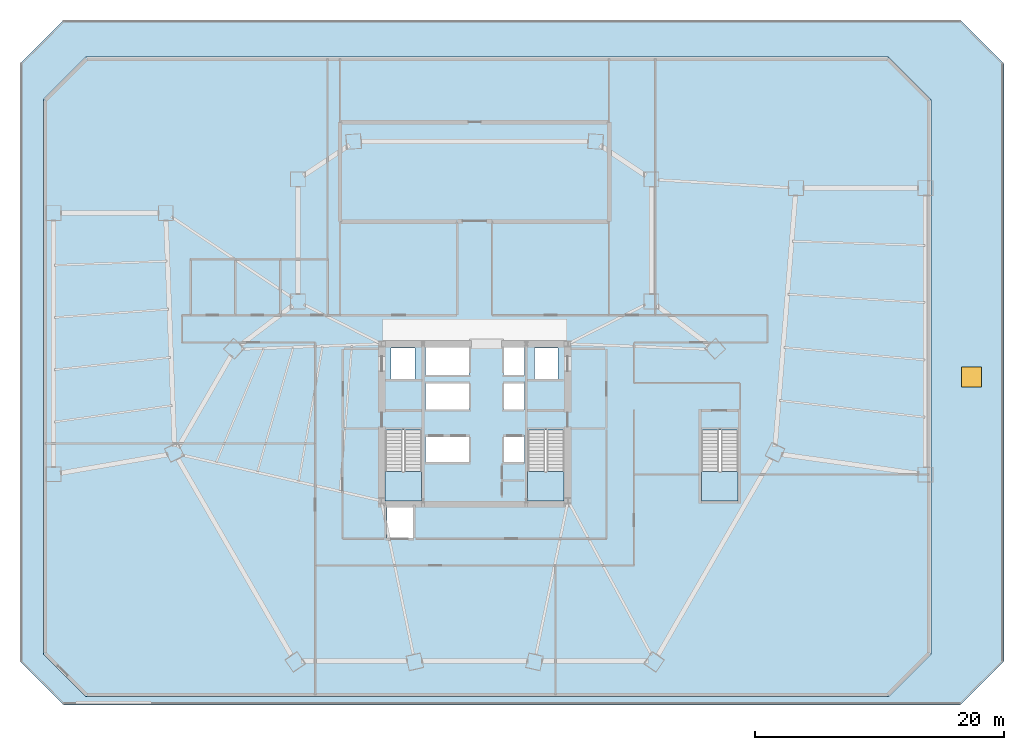
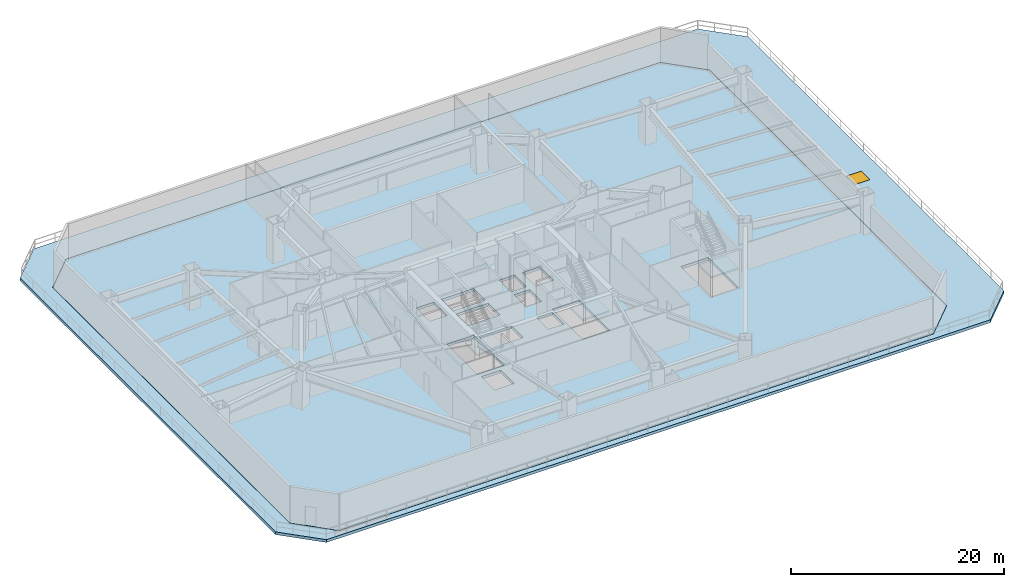
# One storey, part 4 of 13: 5 slabs, 1 window, 1 opening, 3 elements without a shape of their own.
"""IFC4 building model written with IfcOpenShell, lengths in metres."""

from ifc_helpers import new_model, si_unit, direction, frame, origin, origin_2d, place, context, subcontext, project, spatial, polyline, rectangle, outline, extrude, material, layer, layer_set, type_object, element, fill, aggregate, save


model = new_model("IFC4")

# Units and contexts
model_context = context("Model", 3, precision=1e-05, world=origin(), true_north=direction((0.0, 1.0)))
body_context = subcontext(model_context, "Body", "Model", "MODEL_VIEW")
ifc_project = project(units=[si_unit("LENGTHUNIT", "METRE"), si_unit("AREAUNIT", "SQUARE_METRE"), si_unit("VOLUMEUNIT", "CUBIC_METRE"), si_unit("PLANEANGLEUNIT", "RADIAN"), si_unit("MASSUNIT", "GRAM", prefix="KILO")], contexts=[model_context])

# Site, building, storey
site_placement = place(None, origin())
site = spatial("IfcSite", under=ifc_project, at=site_placement, CompositionType="ELEMENT")
building_placement = place(site_placement, origin())
building = spatial("IfcBuilding", under=site, at=building_placement, Name="Caelisora Broadcast Tower", CompositionType="ELEMENT")
storey_placement = place(building_placement, frame((0.0, 0.0, 10.199951171875)))
storey = spatial("IfcBuildingStorey", under=building, at=storey_placement, Name="L02", CompositionType="ELEMENT", Elevation=10.199951171875)

# Slab
ifc_material_1 = material(Name="Concrete 40 MPa (AS 3600 N40)", Category="concrete")
ifc_layer_1 = layer(ifc_material_1, 0.320068359375, Name="Concrete 40 MPa (AS 3600 N40)")
ifc_layer_set_1 = layer_set([ifc_layer_1], Name="Concrete 40 MPa (AS 3600 N40)")
slab_type_1 = type_object("IfcSlabType", Name="SL01", PredefinedType="FLOOR", material=ifc_layer_set_1)
slab_1_placement = place(storey_placement, frame((0.0, 0.0, -0.320068359375)))
element("IfcSlab", 1, at=slab_1_placement, inside=storey, type_object=slab_type_1, Name="L02 suspended floor SL01", PredefinedType="FLOOR", context=body_context, shape_type="SweptSolid", body=[
    extrude(outline(polyline([(6.782958984375, 1.699951171875), (3.39990234375, 5.0830078125), (3.39990234375, 49.616943359375), (6.782958984375, 53.0), (71.217041015625, 53.0), (74.60009765625, 49.616943359375), (74.60009765625, 5.0830078125), (71.217041015625, 1.699951171875), (6.782958984375, 1.699951171875)]), holes=[polyline([(30.820068359375, 17.39990234375), (33.739990234375, 17.39990234375), (33.739990234375, 23.080078125), (30.820068359375, 23.080078125), (30.820068359375, 17.39990234375)]), polyline([(42.260009765625, 17.39990234375), (45.179931640625, 17.39990234375), (45.179931640625, 23.080078125), (42.260009765625, 23.080078125), (42.260009765625, 17.39990234375)]), polyline([(56.199951171875, 17.39990234375), (59.159912109375, 17.39990234375), (59.159912109375, 23.080078125), (56.199951171875, 23.080078125), (56.199951171875, 17.39990234375)]), polyline([(42.800048828125, 27.14990234375), (44.699951171875, 27.14990234375), (44.699951171875, 29.64990234375), (42.800048828125, 29.64990234375), (42.800048828125, 27.14990234375)]), polyline([(40.300048828125, 20.429931640625), (42.0, 20.429931640625), (42.0, 22.6298828125), (40.300048828125, 22.6298828125), (40.300048828125, 20.429931640625)]), polyline([(40.300048828125, 24.719970703125), (42.0, 24.719970703125), (42.0, 26.919921875), (40.300048828125, 26.919921875), (40.300048828125, 24.719970703125)]), polyline([(40.300048828125, 27.5), (42.0, 27.5), (42.0, 29.699951171875), (40.300048828125, 29.699951171875), (40.300048828125, 27.5)]), polyline([(34.050048828125, 27.5), (37.550048828125, 27.5), (37.550048828125, 29.699951171875), (34.050048828125, 29.699951171875), (34.050048828125, 27.5)]), polyline([(34.050048828125, 20.429931640625), (37.550048828125, 20.429931640625), (37.550048828125, 22.6298828125), (34.050048828125, 22.6298828125), (34.050048828125, 20.429931640625)]), polyline([(34.050048828125, 24.719970703125), (37.550048828125, 24.719970703125), (37.550048828125, 26.919921875), (34.050048828125, 26.919921875), (34.050048828125, 24.719970703125)]), polyline([(31.300048828125, 27.14990234375), (33.199951171875, 27.14990234375), (33.199951171875, 29.64990234375), (31.300048828125, 29.64990234375), (31.300048828125, 27.14990234375)]), polyline([(30.949951171875, 14.35009765625), (33.050048828125, 14.35009765625), (33.050048828125, 16.85009765625), (30.949951171875, 16.85009765625), (30.949951171875, 14.35009765625)])]), origin(), (0.0, 0.0, 1.0), 0.320068359375),
])

# Stair, slab
stair_type_1 = type_object("IfcStairType", Name="ST-1", PredefinedType="HALF_TURN_STAIR", material=ifc_material_1)
stair_1_placement = place(storey_placement, origin())
stair_1 = element("IfcStair", 2, at=stair_1_placement, inside=storey, type_object=stair_type_1, Name="L02 West Fire-Isolated Tower Stair", PredefinedType="HALF_TURN_STAIR")
ifc_layer_2 = layer(ifc_material_1, 0.199951171875, Name="Concrete 40 MPa (AS 3600 N40)")
ifc_layer_set_2 = layer_set([ifc_layer_2], Name="Concrete 40 MPa (AS 3600 N40)")
slab_type_2 = type_object("IfcSlabType", Name="STL-1", PredefinedType="LANDING", material=ifc_layer_set_2)
slab_2_placement = place(storey_placement, frame((0.0, 0.0, 2.050048828125)))
slab_2 = element("IfcSlab", 3, at=slab_2_placement, type_object=slab_type_2, Name="ST-1 landing 1", PredefinedType="LANDING", context=body_context, shape_type="SweptSolid", body=[
    extrude(outline(polyline([(30.820068359375, 19.739990234375), (30.820068359375, 17.39990234375), (33.739990234375, 17.39990234375), (33.739990234375, 19.739990234375), (30.820068359375, 19.739990234375)])), origin(), (0.0, 0.0, 1.0), 0.199951171875),
])
aggregate(stair_1, [slab_2])

stair_type_2 = type_object("IfcStairType", Name="ST-2", PredefinedType="HALF_TURN_STAIR", material=ifc_material_1)
stair_2_placement = place(storey_placement, origin())
stair_2 = element("IfcStair", 4, at=stair_2_placement, inside=storey, type_object=stair_type_2, Name="L02 East Fire-Isolated Tower Stair", PredefinedType="HALF_TURN_STAIR")
slab_3_placement = place(storey_placement, frame((0.0, 0.0, 2.050048828125)))
slab_3 = element("IfcSlab", 5, at=slab_3_placement, type_object=slab_type_2, Name="ST-2 landing 1", PredefinedType="LANDING", context=body_context, shape_type="SweptSolid", body=[
    extrude(outline(polyline([(42.260009765625, 19.739990234375), (42.260009765625, 17.39990234375), (45.179931640625, 17.39990234375), (45.179931640625, 19.739990234375), (42.260009765625, 19.739990234375)])), origin(), (0.0, 0.0, 1.0), 0.199951171875),
])
aggregate(stair_2, [slab_3])

stair_type_3 = type_object("IfcStairType", Name="ST-3", PredefinedType="HALF_TURN_STAIR", material=ifc_material_1)
stair_3_placement = place(storey_placement, origin())
stair_3 = element("IfcStair", 6, at=stair_3_placement, inside=storey, type_object=stair_type_3, Name="L02 Podium Broadcast Studio Exit Stair", PredefinedType="HALF_TURN_STAIR")
slab_4_placement = place(storey_placement, frame((0.0, 0.0, 2.050048828125)))
slab_4 = element("IfcSlab", 7, at=slab_4_placement, type_object=slab_type_2, Name="ST-3 landing 1", PredefinedType="LANDING", context=body_context, shape_type="SweptSolid", body=[
    extrude(outline(polyline([(56.199951171875, 19.739990234375), (56.199951171875, 17.39990234375), (59.159912109375, 17.39990234375), (59.159912109375, 19.739990234375), (56.199951171875, 19.739990234375)])), origin(), (0.0, 0.0, 1.0), 0.199951171875),
])
aggregate(stair_3, [slab_4])

# Slab, opening, window
ifc_layer_3 = layer(ifc_material_1, 0.320068359375, Name="Concrete 40 MPa (AS 3600 N40)")
ifc_layer_set_3 = layer_set([ifc_layer_3], Name="Concrete 40 MPa (AS 3600 N40)")
slab_type_3 = type_object("IfcSlabType", Name="TR03", PredefinedType="FLOOR", material=ifc_layer_set_3)
slab_5_placement = place(storey_placement, frame((0.0, 0.0, -0.320068359375)))
slab_5 = element("IfcSlab", 8, at=slab_5_placement, inside=storey, type_object=slab_type_3, Name="L02 outdoor terrace slab TR03", PredefinedType="FLOOR", context=body_context, shape_type="SweptSolid", body=[
    extrude(outline(polyline([(1.5, 4.5), (1.5, 52.5), (5.0, 56.0), (77.0, 56.0), (80.5, 52.5), (80.5, 4.5), (77.0, 1.0), (5.0, 1.0), (1.5, 4.5)]), holes=[polyline([(71.22509765625, 1.679931640625), (74.6201171875, 5.074951171875), (74.6201171875, 49.625), (71.22509765625, 53.02001953125), (6.77490234375, 53.02001953125), (3.3798828125, 49.625), (3.3798828125, 5.074951171875), (6.77490234375, 1.679931640625), (71.22509765625, 1.679931640625)])]), origin(), (0.0, 0.0, 1.0), 0.320068359375),
])
opening_placement = place(slab_5_placement, frame((77.875, 27.35009765625, 0.0)))
opening = element("IfcOpeningElement", 9, at=opening_placement, cuts=slab_5, Name="Opening SK01", PredefinedType="OPENING", context=body_context, shape_type="SweptSolid", body=[
    extrude(rectangle(XDim=1.60009765625, YDim=1.60009765625, at=origin_2d()), origin(), (0.0, 0.0, 1.0), 0.320068359375),
])
ifc_material_2 = material(Name="Thermally Broken Laminated Podium Skylight", Category="glass")
window_type = type_object("IfcWindowType", Name="SK01", PartitioningType="SINGLE_PANEL", PredefinedType="SKYLIGHT", material=ifc_material_2)
window_placement = place(opening_placement, frame((0.0, 0.0, 0.27001953125)))
window = element("IfcWindow", 10, at=window_placement, inside=storey, type_object=window_type, Name="L02 podium terrace skylight SK01", OverallHeight=1.60009765625, OverallWidth=1.60009765625, PartitioningType="SINGLE_PANEL", PredefinedType="SKYLIGHT", context=body_context, shape_type="SweptSolid", body=[
    extrude(rectangle(XDim=1.60009765625, YDim=1.60009765625, at=origin_2d()), origin(), (0.0, 0.0, 1.0), 0.050048828125),
])
fill(opening, window)

save(model, "model.ifc")
